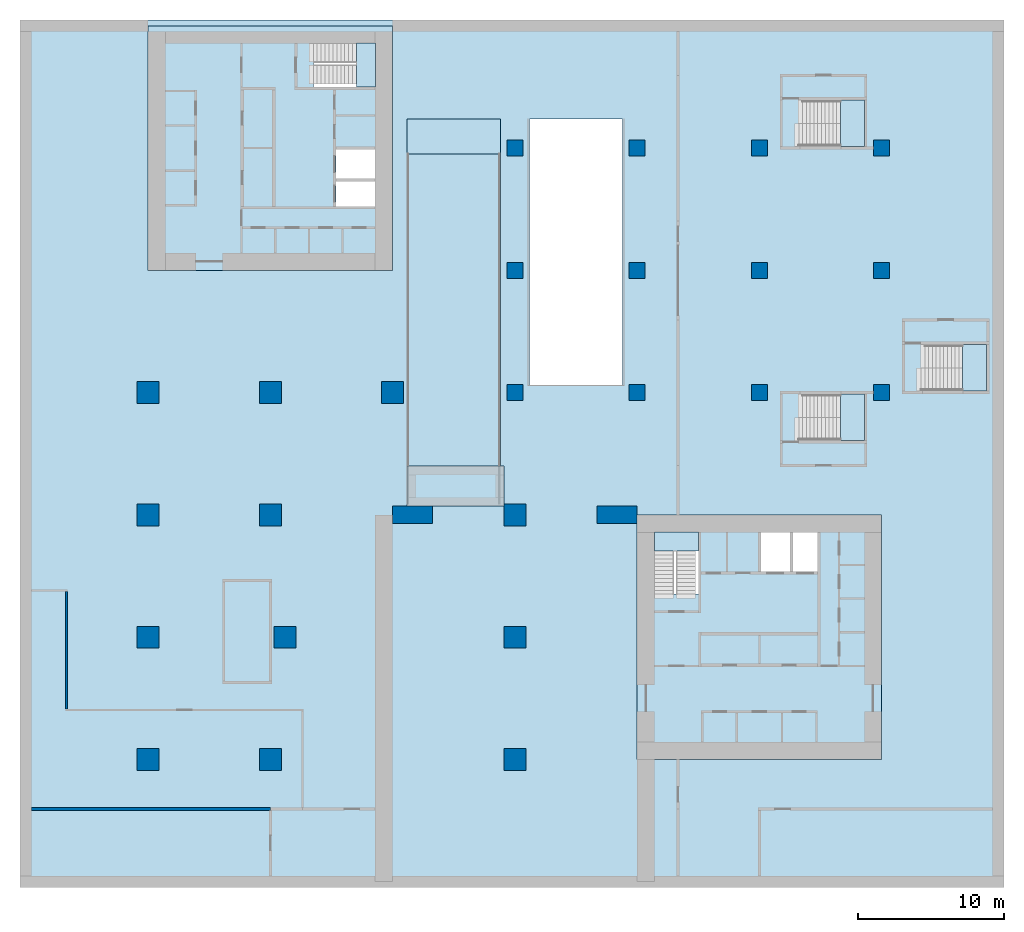
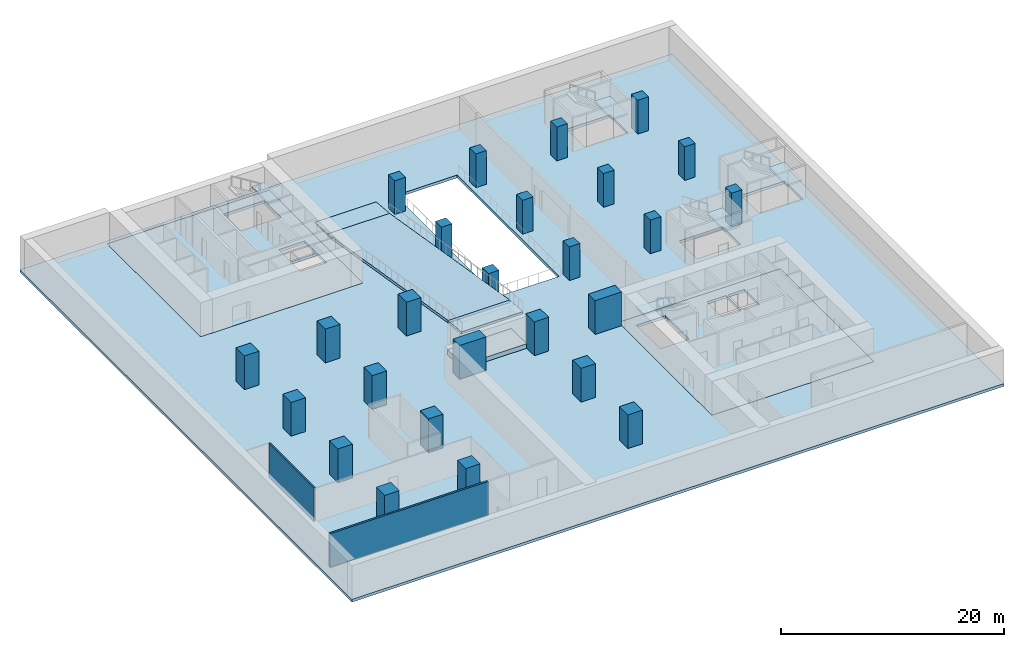
# One storey, part 1 of 7: 26 columns, 12 slabs, 2 walls, 5 elements without a shape of their own.
"""IFC4 building model written with IfcOpenShell, lengths in metres."""

from ifc_helpers import new_model, si_unit, direction, frame, frame_2d, origin, origin_2d, place, context, subcontext, project, spatial, polyline, rectangle, outline, extrude, material, layer, layer_set, material_profile, profile_set, type_object, element, aggregate, save


model = new_model("IFC4")

# Units and contexts
model_context = context("Model", 3, precision=1e-05, world=origin(), true_north=direction((0.0, 1.0)))
body_context = subcontext(model_context, "Body", "Model", "MODEL_VIEW")
ifc_project = project(units=[si_unit("LENGTHUNIT", "METRE"), si_unit("AREAUNIT", "SQUARE_METRE"), si_unit("VOLUMEUNIT", "CUBIC_METRE"), si_unit("PLANEANGLEUNIT", "RADIAN"), si_unit("MASSUNIT", "GRAM", prefix="KILO")], contexts=[model_context])

# Site, building, storey
site_placement = place(None, origin())
site = spatial("IfcSite", under=ifc_project, at=site_placement, CompositionType="ELEMENT")
building_placement = place(site_placement, origin())
building = spatial("IfcBuilding", under=site, at=building_placement, Name="Vermilion Gate Residences", CompositionType="ELEMENT")
storey_placement = place(building_placement, frame((0.0, 0.0, -12.0)))
storey = spatial("IfcBuildingStorey", under=building, at=storey_placement, Name="B3", CompositionType="ELEMENT", Elevation=-12.0)

# Columns
ifc_material_1 = material(Name="Concrete C60", Category="concrete")
ifc_material_profile_1 = material_profile(ifc_material_1, rectangle(XDim=1.10009765625, YDim=1.10009765625, at=origin_2d()), Name="RC-1100x1100")
ifc_profile_set_1 = profile_set([ifc_material_profile_1], Name="Concrete C60")
column_type_1 = type_object("IfcColumnType", Name="RC COLUMN 1100 X 1100 C60", PredefinedType="COLUMN", material=ifc_profile_set_1)
for number, where, z_axis, x_axis, name in (
    (1, (33.60009765625, 33.60009765625, 0.0), (0.0, 0.0, 1.0), (1.0, 0.0, 0.0), "Column 5-E B3"),
    (2, (33.60009765625, 42.0, 0.0), (0.0, 0.0, 1.0), (1.0, 0.0, 0.0), "Column 5-F B3"),
    (3, (33.60009765625, 50.39990234375, 0.0), (0.0, 0.0, 1.0), (1.0, 0.0, 0.0), "Column 5-G B3"),
    (4, (42.0, 33.60009765625, 0.0), (0.0, 0.0, 1.0), (1.0, 0.0, 0.0), "Column 6-E B3"),
    (5, (42.0, 42.0, 0.0), (0.0, 0.0, 1.0), (1.0, 0.0, 0.0), "Column 6-F B3"),
    (6, (42.0, 50.39990234375, 0.0), (0.0, 0.0, 1.0), (1.0, 0.0, 0.0), "Column 6-G B3"),
    (7, (50.39990234375, 33.60009765625, 0.0), (0.0, 0.0, 1.0), (1.0, 0.0, 0.0), "Column 7-E B3"),
    (8, (50.39990234375, 42.0, 0.0), (0.0, 0.0, 1.0), (1.0, 0.0, 0.0), "Column 7-F B3"),
    (9, (50.39990234375, 50.39990234375, 0.0), (0.0, 0.0, 1.0), (1.0, 0.0, 0.0), "Column 7-G B3"),
    (10, (58.800048828125, 33.60009765625, 0.0), (0.0, 0.0, 1.0), (1.0, 0.0, 0.0), "Column 8-E B3"),
    (11, (58.800048828125, 42.0, 0.0), (0.0, 0.0, 1.0), (1.0, 0.0, 0.0), "Column 8-F B3"),
    (12, (58.800048828125, 50.39990234375, 0.0), (0.0, 0.0, 1.0), (1.0, 0.0, 0.0), "Column 8-G B3"),
):
    element("IfcColumn", number, at=place(storey_placement, frame(where, z_axis=z_axis, x_axis=x_axis)), inside=storey, type_object=column_type_1, Name=name, PredefinedType="COLUMN", context=body_context, shape_type="SweptSolid", body=[
        extrude(rectangle(XDim=1.10009765625, YDim=1.10009765625, at=origin_2d()), origin(), (0.0, 0.0, 1.0), 3.699951171875),
    ])
ifc_material_2 = material(Name="Concrete C80", Category="concrete")
ifc_material_profile_2 = material_profile(ifc_material_2, rectangle(XDim=1.5, YDim=1.5, at=origin_2d()), Name="RC-1500x1500")
ifc_profile_set_2 = profile_set([ifc_material_profile_2], Name="Concrete C80")
column_type_2 = type_object("IfcColumnType", Name="RC COLUMN 1500 X 1500 C80", PredefinedType="COLUMN", material=ifc_profile_set_2)
for number, where, z_axis, x_axis, name in (
    (13, (8.39990234375, 8.39990234375, 0.0), (0.0, 0.0, 1.0), (1.0, 0.0, 0.0), "Column 2-B B3"),
    (14, (8.39990234375, 16.800048828125, 0.0), (0.0, 0.0, 1.0), (1.0, 0.0, 0.0), "Column 2-C B3"),
    (15, (8.39990234375, 25.199951171875, 0.0), (0.0, 0.0, 1.0), (1.0, 0.0, 0.0), "Column 2-D B3"),
    (16, (8.39990234375, 33.60009765625, 0.0), (0.0, 0.0, 1.0), (1.0, 0.0, 0.0), "Column 2-E B3"),
    (17, (16.800048828125, 8.39990234375, 0.0), (0.0, 0.0, 1.0), (1.0, 0.0, 0.0), "Column 3-B B3"),
    (18, (17.800048828125, 16.800048828125, 0.0), (0.0, 0.0, 1.0), (1.0, 0.0, 0.0), "Column 3-C B3"),
    (19, (16.800048828125, 25.199951171875, 0.0), (0.0, 0.0, 1.0), (1.0, 0.0, 0.0), "Column 3-D B3"),
    (20, (16.800048828125, 33.60009765625, 0.0), (0.0, 0.0, 1.0), (1.0, 0.0, 0.0), "Column 3-E B3"),
    (21, (25.199951171875, 33.60009765625, 0.0), (0.0, 0.0, 1.0), (1.0, 0.0, 0.0), "Column 4-E B3"),
    (22, (33.60009765625, 8.39990234375, 0.0), (0.0, 0.0, 1.0), (1.0, 0.0, 0.0), "Column 5-B B3"),
    (23, (33.60009765625, 16.800048828125, 0.0), (0.0, 0.0, 1.0), (1.0, 0.0, 0.0), "Column 5-C B3"),
    (24, (33.60009765625, 25.199951171875, 0.0), (0.0, 0.0, 1.0), (1.0, 0.0, 0.0), "Column 5-D B3"),
):
    element("IfcColumn", number, at=place(storey_placement, frame(where, z_axis=z_axis, x_axis=x_axis)), inside=storey, type_object=column_type_2, Name=name, PredefinedType="COLUMN", context=body_context, shape_type="SweptSolid", body=[
        extrude(rectangle(XDim=1.5, YDim=1.5, at=origin_2d()), origin(), (0.0, 0.0, 1.0), 3.699951171875),
    ])
ifc_material_3 = material(Name="Concrete C80", Category="concrete")
ifc_material_profile_3 = material_profile(ifc_material_3, rectangle(XDim=2.75, YDim=1.199951171875, at=origin_2d()), Name="RC-2750x1200")
ifc_profile_set_3 = profile_set([ifc_material_profile_3], Name="Concrete C80")
column_type_3 = type_object("IfcColumnType", Name="RC COLUMN 2750 X 1200 C80", PredefinedType="COLUMN", material=ifc_profile_set_3)
for number, where, z_axis, x_axis, name in (
    (25, (26.574951171875, 25.199951171875, 0.0), (0.0, 0.0, 1.0), (1.0, 0.0, 0.0), "Portal leg column W B3"),
    (26, (40.625, 25.199951171875, 0.0), (0.0, 0.0, 1.0), (1.0, 0.0, 0.0), "Portal leg column E B3"),
):
    element("IfcColumn", number, at=place(storey_placement, frame(where, z_axis=z_axis, x_axis=x_axis)), inside=storey, type_object=column_type_3, Name=name, PredefinedType="COLUMN", context=body_context, shape_type="SweptSolid", body=[
        extrude(rectangle(XDim=2.75, YDim=1.199951171875, at=origin_2d()), origin(), (0.0, 0.0, 1.0), 3.699951171875),
    ])

# Slabs
ifc_material_4 = material(Name="Concrete C40", Category="concrete")
ifc_layer_1 = layer(ifc_material_4, 0.5)
ifc_layer_set_1 = layer_set([ifc_layer_1], Name="RAMP ABUTMENT PAD 500 (AMENITY)")
slab_type_1 = type_object("IfcSlabType", Name="RAMP ABUTMENT PAD 500 (AMENITY)", PredefinedType="FLOOR", material=ifc_layer_set_1)
slab_1_placement = place(storey_placement, origin())
element("IfcSlab", 27, at=slab_1_placement, inside=storey, type_object=slab_type_1, Name="Ramp 3 abutment pad", PredefinedType="FLOOR", context=body_context, shape_type="SweptSolid", body=[
    extrude(outline(polyline([(26.199951171875, 25.800048828125), (32.85009765625, 25.800048828125), (32.85009765625, 28.550048828125), (26.199951171875, 28.550048828125), (26.199951171875, 25.800048828125)])), origin(), (0.0, 0.0, 1.0), 0.5),
])
ifc_material_5 = material(Name="Concrete C50", Category="concrete")
ifc_layer_2 = layer(ifc_material_5, 0.300048828125)
ifc_layer_set_2 = layer_set([ifc_layer_2], Name="RC CORE FLOOR SLAB 300 C50")
slab_type_2 = type_object("IfcSlabType", Name="RC CORE FLOOR SLAB 300 C50", PredefinedType="FLOOR", material=ifc_layer_set_2)
slab_2_placement = place(storey_placement, frame((0.0, 0.0, -0.300048828125)))
element("IfcSlab", 28, at=slab_2_placement, inside=storey, type_object=slab_type_2, Name="Core floor slab AB3", PredefinedType="FLOOR", context=body_context, shape_type="SweptSolid", body=[
    extrude(outline(polyline([(42.0, 8.39990234375), (58.800048828125, 8.39990234375), (58.800048828125, 25.199951171875), (42.0, 25.199951171875), (42.0, 8.39990234375)]), holes=[polyline([(46.199951171875, 19.75), (43.199951171875, 19.75), (43.199951171875, 24.0), (46.199951171875, 24.0), (46.199951171875, 19.75)]), polyline([(50.5, 21.300048828125), (50.5, 24.0), (52.5, 24.0), (52.5, 21.300048828125), (50.5, 21.300048828125)]), polyline([(52.699951171875, 21.300048828125), (52.699951171875, 24.0), (54.39990234375, 24.0), (54.39990234375, 21.300048828125), (52.699951171875, 21.300048828125)])]), origin(), (0.0, 0.0, 1.0), 0.300048828125),
])
slab_3_placement = place(storey_placement, frame((0.0, 0.0, -0.300048828125)))
element("IfcSlab", 29, at=slab_3_placement, inside=storey, type_object=slab_type_2, Name="Core floor slab BB3", PredefinedType="FLOOR", context=body_context, shape_type="SweptSolid", body=[
    extrude(outline(polyline([(8.39990234375, 42.0), (25.199951171875, 42.0), (25.199951171875, 58.800048828125), (8.39990234375, 58.800048828125), (8.39990234375, 42.0)]), holes=[polyline([(24.0, 46.39990234375), (21.300048828125, 46.39990234375), (21.300048828125, 48.10009765625), (24.0, 48.10009765625), (24.0, 46.39990234375)]), polyline([(21.300048828125, 48.300048828125), (21.300048828125, 50.300048828125), (24.0, 50.300048828125), (24.0, 48.300048828125), (21.300048828125, 48.300048828125)]), polyline([(19.75, 54.60009765625), (19.75, 57.60009765625), (24.0, 57.60009765625), (24.0, 54.60009765625), (19.75, 54.60009765625)])]), origin(), (0.0, 0.0, 1.0), 0.300048828125),
])
ifc_material_6 = material(Name="Concrete C50", Category="concrete")
ifc_layer_3 = layer(ifc_material_6, 0.300048828125)
ifc_layer_set_3 = layer_set([ifc_layer_3], Name="RC FLAT PLATE 300 C50")
slab_type_3 = type_object("IfcSlabType", Name="RC FLAT PLATE 300 C50", PredefinedType="FLOOR", material=ifc_layer_set_3)
slab_4_placement = place(storey_placement, frame((0.0, 0.0, -0.300048828125)))
element("IfcSlab", 30, at=slab_4_placement, inside=storey, type_object=slab_type_3, Name="Basement slab B3", PredefinedType="FLOOR", context=body_context, shape_type="SweptSolid", body=[
    extrude(outline(polyline([(-0.39990234375, -0.39990234375), (67.199951171875, -0.39990234375), (67.199951171875, 59.199951171875), (-0.39990234375, 59.199951171875), (-0.39990234375, -0.39990234375)]), holes=[polyline([(66.0, 36.89990234375), (66.0, 33.699951171875), (61.5, 33.699951171875), (61.5, 36.89990234375), (66.0, 36.89990234375)]), polyline([(58.800048828125, 8.39990234375), (42.0, 8.39990234375), (42.0, 25.199951171875), (58.800048828125, 25.199951171875), (58.800048828125, 8.39990234375)]), polyline([(53.10009765625, 30.300048828125), (53.10009765625, 33.5), (57.60009765625, 33.5), (57.60009765625, 30.300048828125), (53.10009765625, 30.300048828125)]), polyline([(53.10009765625, 53.699951171875), (57.60009765625, 53.699951171875), (57.60009765625, 50.5), (53.10009765625, 50.5), (53.10009765625, 53.699951171875)]), polyline([(41.0, 34.10009765625), (34.60009765625, 34.10009765625), (34.60009765625, 52.39990234375), (41.0, 52.39990234375), (41.0, 34.10009765625)]), polyline([(25.199951171875, 42.0), (8.39990234375, 42.0), (8.39990234375, 58.800048828125), (25.199951171875, 58.800048828125), (25.199951171875, 42.0)])]), origin(), (0.0, 0.0, 1.0), 0.300048828125),
])

# Stair, slab
ifc_material_7 = material(Name="Concrete C30", Category="concrete")
stair_type_1 = type_object("IfcStairType", Name="ESCAPE STAIR 1200 (AMENITY)", PredefinedType="HALF_TURN_STAIR", material=ifc_material_7)
stair_1_placement = place(storey_placement, origin())
stair_1 = element("IfcStair", 31, at=stair_1_placement, inside=storey, type_object=stair_type_1, Name="Garage escape stair 4 B3 to B2", PredefinedType="HALF_TURN_STAIR")
ifc_material_8 = material(Name="Concrete C35", Category="concrete")
ifc_layer_4 = layer(ifc_material_8, 0.199951171875)
ifc_layer_set_4 = layer_set([ifc_layer_4], Name="STAIR LANDING 200 (AMENITY)")
slab_type_4 = type_object("IfcSlabType", Name="STAIR LANDING 200 (AMENITY)", PredefinedType="LANDING", material=ifc_layer_set_4)
slab_5_placement = place(storey_placement, frame((0.0, 0.0, 1.886962890625)))
slab_5 = element("IfcSlab", 32, at=slab_5_placement, type_object=slab_type_4, Name="STG4 landing 1", PredefinedType="LANDING", context=body_context, shape_type="SweptSolid", body=[
    extrude(outline(polyline([(55.9599609375, 30.300048828125), (57.60009765625, 30.300048828125), (57.60009765625, 33.5), (55.9599609375, 33.5), (55.9599609375, 30.300048828125)])), origin(), (0.0, 0.0, 1.0), 0.199951171875),
])
aggregate(stair_1, [slab_5])

stair_2_placement = place(storey_placement, origin())
stair_2 = element("IfcStair", 33, at=stair_2_placement, inside=storey, type_object=stair_type_1, Name="Garage escape stair 15 B3 to B2", PredefinedType="HALF_TURN_STAIR")
slab_6_placement = place(storey_placement, frame((0.0, 0.0, 1.886962890625)))
slab_6 = element("IfcSlab", 34, at=slab_6_placement, type_object=slab_type_4, Name="STG15 landing 1", PredefinedType="LANDING", context=body_context, shape_type="SweptSolid", body=[
    extrude(outline(polyline([(55.9599609375, 50.5), (57.60009765625, 50.5), (57.60009765625, 53.699951171875), (55.9599609375, 53.699951171875), (55.9599609375, 50.5)])), origin(), (0.0, 0.0, 1.0), 0.199951171875),
])
aggregate(stair_2, [slab_6])

stair_3_placement = place(storey_placement, origin())
stair_3 = element("IfcStair", 35, at=stair_3_placement, inside=storey, type_object=stair_type_1, Name="Garage escape stair 16 B3 to B2", PredefinedType="HALF_TURN_STAIR")
slab_7_placement = place(storey_placement, frame((0.0, 0.0, 1.886962890625)))
slab_7 = element("IfcSlab", 36, at=slab_7_placement, type_object=slab_type_4, Name="STG16 landing 1", PredefinedType="LANDING", context=body_context, shape_type="SweptSolid", body=[
    extrude(outline(polyline([(64.360107421875, 33.699951171875), (66.0, 33.699951171875), (66.0, 36.89990234375), (64.360107421875, 36.89990234375), (64.360107421875, 33.699951171875)])), origin(), (0.0, 0.0, 1.0), 0.199951171875),
])
aggregate(stair_3, [slab_7])

ifc_material_9 = material(Name="Concrete C50", Category="concrete")
stair_type_2 = type_object("IfcStairType", Name="SPECIAL ESCAPE STAIR 1300", PredefinedType="HALF_TURN_STAIR", material=ifc_material_9)
stair_4_placement = place(storey_placement, origin())
stair_4 = element("IfcStair", 37, at=stair_4_placement, inside=storey, type_object=stair_type_2, Name="Special escape stair STA1-B3", PredefinedType="HALF_TURN_STAIR")
ifc_material_10 = material(Name="Concrete C50", Category="concrete")
ifc_layer_5 = layer(ifc_material_10, 0.199951171875)
ifc_layer_set_5 = layer_set([ifc_layer_5], Name="STAIR LANDING 200 C50")
slab_type_5 = type_object("IfcSlabType", Name="STAIR LANDING 200 C50", PredefinedType="LANDING", material=ifc_layer_set_5)
slab_8_placement = place(storey_placement, frame((0.0, 0.0, 1.800048828125)))
slab_8 = element("IfcSlab", 38, at=slab_8_placement, type_object=slab_type_5, Name="STA1-B3 landing 1", PredefinedType="LANDING", context=body_context, shape_type="SweptSolid", body=[
    extrude(outline(polyline([(46.219970703125, 22.719970703125), (46.219970703125, 24.02001953125), (43.179931640625, 24.02001953125), (43.179931640625, 22.719970703125), (46.219970703125, 22.719970703125)])), origin(), (0.0, 0.0, 1.0), 0.199951171875),
])
aggregate(stair_4, [slab_8])

stair_5_placement = place(storey_placement, origin())
stair_5 = element("IfcStair", 39, at=stair_5_placement, inside=storey, type_object=stair_type_2, Name="Special escape stair STB1-B3", PredefinedType="HALF_TURN_STAIR")
slab_9_placement = place(storey_placement, frame((0.0, 0.0, 1.800048828125)))
slab_9 = element("IfcSlab", 40, at=slab_9_placement, type_object=slab_type_5, Name="STB1-B3 landing 1", PredefinedType="LANDING", context=body_context, shape_type="SweptSolid", body=[
    extrude(outline(polyline([(24.02001953125, 54.580078125), (24.02001953125, 57.6201171875), (22.719970703125, 57.6201171875), (22.719970703125, 54.580078125), (24.02001953125, 54.580078125)])), origin(), (0.0, 0.0, 1.0), 0.199951171875),
])
aggregate(stair_5, [slab_9])

# Slabs
ifc_material_11 = material(Name="Concrete C40", Category="concrete")
ifc_layer_6 = layer(ifc_material_11, 0.280029296875)
ifc_layer_set_6 = layer_set([ifc_layer_6], Name="VEHICLE RAMP SLAB 280 C40 (AMENITY)")
slab_type_6 = type_object("IfcSlabType", Name="VEHICLE RAMP SLAB 280 C40 (AMENITY)", PredefinedType="USERDEFINED", material=ifc_layer_set_6)
slab_10_placement = place(storey_placement, frame((29.39990234375, 26.0, 4.0), z_axis=(0.0, 0.0, 1.0), x_axis=(0.0, 1.0, 0.0)))
element("IfcSlab", 41, at=slab_10_placement, inside=storey, type_object=slab_type_6, Name="Ramp 3 entry transition", ObjectType="VEHICLE RAMP SLAB", PredefinedType="USERDEFINED", context=body_context, shape_type="SweptSolid", body=[
    extrude(outline(polyline([(0.0, 0.0), (2.39990234375, -0.199951171875), (2.39990234375, -0.48095703125), (0.0, -0.281005859375), (0.0, 0.0)])), frame((0.0, 3.2001953125, 0.0), z_axis=(0.0, -1.0, 0.0), x_axis=(1.0, 0.0, 0.0)), (0.0, 0.0, 1.0), 6.400146484375),
])
slab_11_placement = place(storey_placement, frame((29.39990234375, 28.39990234375, 3.800048828125), z_axis=(0.0, 0.0, 1.0), x_axis=(0.0, 1.0, 0.0)))
element("IfcSlab", 42, at=slab_11_placement, inside=storey, type_object=slab_type_6, Name="Ramp 3 main run", ObjectType="VEHICLE RAMP SLAB", PredefinedType="USERDEFINED", context=body_context, shape_type="SweptSolid", body=[
    extrude(outline(polyline([(0.0, 0.0), (21.60009765625, -3.60009765625), (21.60009765625, -3.884033203125), (0.0, -0.283935546875), (0.0, 0.0)])), frame((0.0, 3.2001953125, 0.0), z_axis=(0.0, -1.0, 0.0), x_axis=(1.0, 0.0, 0.0)), (0.0, 0.0, 1.0), 6.400146484375),
])
slab_12_placement = place(storey_placement, frame((29.39990234375, 50.0, 0.199951171875), z_axis=(0.0, 0.0, 1.0), x_axis=(0.0, 1.0, 0.0)))
element("IfcSlab", 43, at=slab_12_placement, inside=storey, type_object=slab_type_6, Name="Ramp 3 exit transition", ObjectType="VEHICLE RAMP SLAB", PredefinedType="USERDEFINED", context=body_context, shape_type="SweptSolid", body=[
    extrude(outline(polyline([(0.0, 0.0), (2.39990234375, -0.199951171875), (2.39990234375, -0.48095703125), (0.0, -0.281005859375), (0.0, 0.0)])), frame((0.0, 3.2001953125, 0.0), z_axis=(0.0, -1.0, 0.0), x_axis=(1.0, 0.0, 0.0)), (0.0, 0.0, 1.0), 6.400146484375),
])

# Walls
ifc_material_12 = material(Name="Concrete blockwork", Category="masonry")
ifc_layer_7 = layer(ifc_material_12, 0.199951171875)
ifc_layer_set_7 = layer_set([ifc_layer_7], Name="FIRE WALL 200 EI 120 (AMENITY)")
wall_type_1 = type_object("IfcWallType", Name="FIRE WALL 200 EI 120 (AMENITY)", PredefinedType="PARTITIONING", material=ifc_layer_set_7)
wall_1_placement = place(storey_placement, frame((0.39990234375, 5.0, 0.0), z_axis=(0.0, 0.0, 1.0), x_axis=(1.0, 0.0, 0.0)))
element("IfcWall", 44, at=wall_1_placement, inside=storey, type_object=wall_type_1, Name="Fire-resisting wall 1", PredefinedType="PARTITIONING", context=body_context, shape_type="SweptSolid", body=[
    extrude(rectangle(XDim=16.400146484375, YDim=0.199951171875, at=frame_2d((8.2001953125, 0.0))), origin(), (0.0, 0.0, 1.0), 3.699951171875),
])
ifc_material_13 = material(Name="Gypsum board on steel studs", Category="steel")
ifc_layer_8 = layer(ifc_material_13, 0.14990234375)
ifc_layer_set_8 = layer_set([ifc_layer_8], Name="PARTITION 150 EI 60 (AMENITY)")
wall_type_2 = type_object("IfcWallType", Name="PARTITION 150 EI 60 (AMENITY)", PredefinedType="PARTITIONING", material=ifc_layer_set_8)
wall_2_placement = place(storey_placement, frame((2.800048828125, 11.875, 0.0), z_axis=(0.0, 0.0, 1.0), x_axis=(0.0, 1.0, 0.0)))
element("IfcWall", 45, at=wall_2_placement, inside=storey, type_object=wall_type_2, Name="Partition 3", PredefinedType="PARTITIONING", context=body_context, shape_type="SweptSolid", body=[
    extrude(rectangle(XDim=8.050048828125, YDim=0.14990234375, at=frame_2d((4.02490234375, 0.0))), origin(), (0.0, 0.0, 1.0), 3.699951171875),
])

save(model, "model.ifc")
